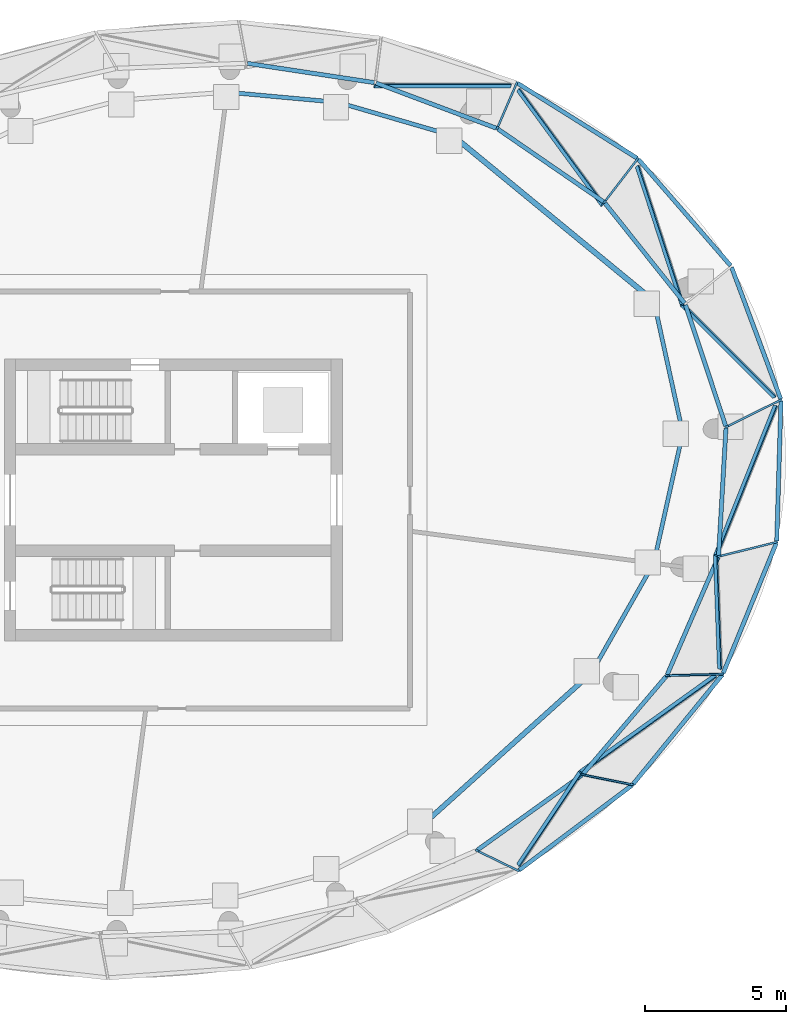
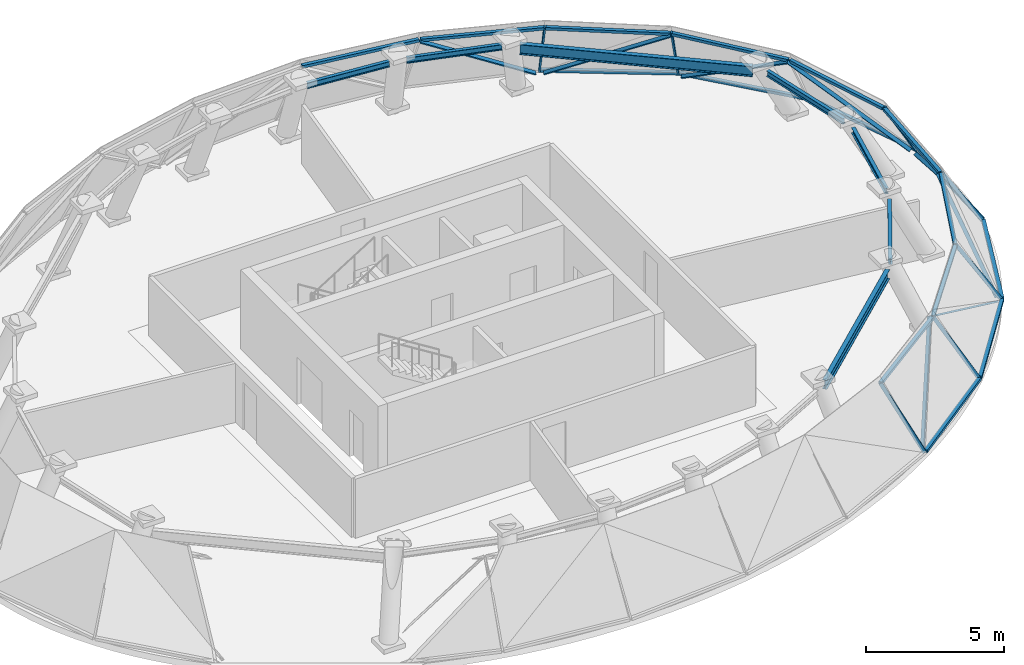
# One storey, part 3 of 9: 31 members, 7 beams, 17 elements without a shape of their own.
"""IFC4 building model written with IfcOpenShell, lengths in metres."""

from ifc_helpers import new_model, si_unit, direction, frame, origin, origin_2d, place, context, subcontext, project, spatial, rectangle, i_section, extrude, source, transform, mapped, material, layer, layer_set, material_profile, profile_set, type_object, element, aggregate, save


model = new_model("IFC4")

# Units and contexts
model_context = context("Model", 3, precision=1e-05, world=origin(), true_north=direction((0.0, 1.0)))
body_context = subcontext(model_context, "Body", "Model", "MODEL_VIEW")
ifc_project = project(units=[si_unit("LENGTHUNIT", "METRE"), si_unit("AREAUNIT", "SQUARE_METRE"), si_unit("VOLUMEUNIT", "CUBIC_METRE"), si_unit("PLANEANGLEUNIT", "RADIAN"), si_unit("MASSUNIT", "GRAM", prefix="KILO")], contexts=[model_context])

# Site, building, storey
site_placement = place(None, origin())
site = spatial("IfcSite", under=ifc_project, at=site_placement, CompositionType="ELEMENT")
building_placement = place(site_placement, origin())
building = spatial("IfcBuilding", under=site, at=building_placement, Name="Spindrift Exchange Tower", CompositionType="ELEMENT")
storey_placement = place(building_placement, frame((0.0, 0.0, 269.60009765625)))
storey = spatial("IfcBuildingStorey", under=building, at=storey_placement, Name="L66", CompositionType="ELEMENT", Elevation=269.60009765625)

# Beams
ifc_material_1 = material(Name="Steel Grade 300", Category="steel")
ifc_material_profile_1 = material_profile(ifc_material_1, i_section(OverallWidth=0.14599609375, OverallDepth=0.251953125, WebThickness=0.006103515625, FlangeThickness=0.008544921875, FilletRadius=0.011962890625, at=origin_2d()), Name="250UB31.4")
ifc_profile_set_1 = profile_set([ifc_material_profile_1], Name="Steel Grade 300")
beam_type_1 = type_object("IfcBeamType", Name="Edge Beam 250UB31.4 Steel Grade 300", PredefinedType="SPANDREL", material=ifc_profile_set_1)
shared_shape_1 = source(origin(), body_context, "Body", "SweptSolid", [
    extrude(i_section(OverallWidth=0.14599609375, OverallDepth=0.251953125, WebThickness=0.006103515625, FlangeThickness=0.008544921875, FilletRadius=0.011962890625, at=origin_2d()), origin(), (0.0, 0.0, 1.0), 4.134765625),
])
beam_1_placement = place(storey_placement, frame((70.010498046875, 50.702880859375, 3.093994140625), z_axis=(-0.214159978233, 0.976798599366, 0.0), x_axis=(-0.976798599366, -0.214159978233, 0.0)))
element("IfcBeam", 1, at=beam_1_placement, inside=storey, type_object=beam_type_1, Name="L66 edge beam E01", PredefinedType="SPANDREL", context=body_context, shape_type="MappedRepresentation", body=[
    mapped(shared_shape_1, transform((0.0, 0.0, 0.0), scale=1.0)),
])
ifc_material_profile_2 = material_profile(ifc_material_1, i_section(OverallWidth=0.18994140625, OverallDepth=0.45703125, WebThickness=0.009033203125, FlangeThickness=0.014404296875, FilletRadius=0.013916015625, at=origin_2d()), Name="460UB74.6")
ifc_profile_set_2 = profile_set([ifc_material_profile_2], Name="Steel Grade 300")
beam_type_2 = type_object("IfcBeamType", Name="Edge Beam 460UB74.6 Steel Grade 300", PredefinedType="SPANDREL", material=ifc_profile_set_2)
shared_shape_2 = source(origin(), body_context, "Body", "SweptSolid", [
    extrude(i_section(OverallWidth=0.18994140625, OverallDepth=0.45703125, WebThickness=0.009033203125, FlangeThickness=0.014404296875, FilletRadius=0.013916015625, at=origin_2d()), origin(), (0.0, 0.0, 1.0), 8.5751953125),
])
beam_2_placement = place(storey_placement, frame((68.799560546875, 55.273681640625, 2.991455078125), z_axis=(-0.772409966966, 0.635124273612, 0.0), x_axis=(-0.635124273612, -0.772409966966, 0.0)))
element("IfcBeam", 2, at=beam_2_placement, inside=storey, type_object=beam_type_2, Name="L66 edge beam E02", PredefinedType="SPANDREL", context=body_context, shape_type="MappedRepresentation", body=[
    mapped(shared_shape_2, transform((0.0, 0.0, 0.0), scale=1.0)),
])
shared_shape_3 = source(origin(), body_context, "Body", "SweptSolid", [
    extrude(i_section(OverallWidth=0.14599609375, OverallDepth=0.251953125, WebThickness=0.006103515625, FlangeThickness=0.008544921875, FilletRadius=0.011962890625, at=origin_2d()), origin(), (0.0, 0.0, 1.0), 3.583740234375),
])
beam_3_placement = place(storey_placement, frame((61.604248046875, 61.021484375, 3.093994140625), z_axis=(-0.960298550949, 0.278974359119, 0.0), x_axis=(-0.278974359119, -0.960298550949, 0.0)))
element("IfcBeam", 3, at=beam_3_placement, inside=storey, type_object=beam_type_1, Name="L66 edge beam E04", PredefinedType="SPANDREL", context=body_context, shape_type="MappedRepresentation", body=[
    mapped(shared_shape_3, transform((0.0, 0.0, 0.0), scale=1.0)),
])
shared_shape_4 = source(origin(), body_context, "Body", "SweptSolid", [
    extrude(i_section(OverallWidth=0.14599609375, OverallDepth=0.251953125, WebThickness=0.006103515625, FlangeThickness=0.008544921875, FilletRadius=0.011962890625, at=origin_2d()), origin(), (0.0, 0.0, 1.0), 3.296875),
])
beam_4_placement = place(storey_placement, frame((57.517333984375, 62.143310546875, 3.093994140625), z_axis=(-0.995836564252, 0.091156663489, 0.0), x_axis=(-0.091156663489, -0.995836564252, 0.0)))
element("IfcBeam", 4, at=beam_4_placement, inside=storey, type_object=beam_type_1, Name="L66 edge beam E05", PredefinedType="SPANDREL", context=body_context, shape_type="MappedRepresentation", body=[
    mapped(shared_shape_4, transform((0.0, 0.0, 0.0), scale=1.0)),
])
ifc_material_profile_3 = material_profile(ifc_material_1, i_section(OverallWidth=0.177978515625, OverallDepth=0.406005859375, WebThickness=0.0078125, FlangeThickness=0.0126953125, FilletRadius=0.013916015625, at=origin_2d()), Name="410UB59.7")
ifc_profile_set_3 = profile_set([ifc_material_profile_3], Name="Steel Grade 300")
beam_type_3 = type_object("IfcBeamType", Name="Edge Beam 410UB59.7 Steel Grade 300", PredefinedType="SPANDREL", material=ifc_profile_set_3)
shared_shape_5 = source(origin(), body_context, "Body", "SweptSolid", [
    extrude(i_section(OverallWidth=0.177978515625, OverallDepth=0.406005859375, WebThickness=0.0078125, FlangeThickness=0.0126953125, FilletRadius=0.013916015625, at=origin_2d()), origin(), (0.0, 0.0, 1.0), 7.392578125),
])
beam_5_placement = place(storey_placement, frame((61.09375, 36.689208984375, 3.016845703125), z_axis=(0.743236668357, 0.669028590428, 0.0), x_axis=(-0.669028590428, 0.743236668357, 0.0)))
element("IfcBeam", 5, at=beam_5_placement, inside=storey, type_object=beam_type_3, Name="L66 edge beam E21", PredefinedType="SPANDREL", context=body_context, shape_type="MappedRepresentation", body=[
    mapped(shared_shape_5, transform((0.0, 0.0, 0.0), scale=1.0)),
])
shared_shape_6 = source(origin(), body_context, "Body", "SweptSolid", [
    extrude(i_section(OverallWidth=0.14599609375, OverallDepth=0.251953125, WebThickness=0.006103515625, FlangeThickness=0.008544921875, FilletRadius=0.011962890625, at=origin_2d()), origin(), (0.0, 0.0, 1.0), 3.825927734375),
])
beam_6_placement = place(storey_placement, frame((66.99658203125, 42.142578125, 3.093994140625), z_axis=(0.49428236907, 0.869301408964, 0.0), x_axis=(-0.869301408964, 0.49428236907, 0.0)))
element("IfcBeam", 6, at=beam_6_placement, inside=storey, type_object=beam_type_1, Name="L66 edge beam E23", PredefinedType="SPANDREL", context=body_context, shape_type="MappedRepresentation", body=[
    mapped(shared_shape_6, transform((0.0, 0.0, 0.0), scale=1.0)),
])
shared_shape_7 = source(origin(), body_context, "Body", "SweptSolid", [
    extrude(i_section(OverallWidth=0.14599609375, OverallDepth=0.251953125, WebThickness=0.006103515625, FlangeThickness=0.008544921875, FilletRadius=0.011962890625, at=origin_2d()), origin(), (0.0, 0.0, 1.0), 4.07861328125),
])
beam_7_placement = place(storey_placement, frame((69.12255859375, 46.077392578125, 3.093994140625), z_axis=(0.217469159282, 0.976067192749, 0.0), x_axis=(-0.976067192749, 0.217469159282, 0.0)))
element("IfcBeam", 7, at=beam_7_placement, inside=storey, type_object=beam_type_1, Name="L66 edge beam E24", PredefinedType="SPANDREL", context=body_context, shape_type="MappedRepresentation", body=[
    mapped(shared_shape_7, transform((0.0, 0.0, 0.0), scale=1.0)),
])

# Curtain wall, member
ifc_material_2 = material(Name="Fritted laminated glass with bronze frame", Category="glass")
ifc_layer = layer(ifc_material_2, 0.14990234375)
ifc_layer_set = layer_set([ifc_layer], Name="CROWN BRONZE RAKED GLAZED WALL")
curtain_wall_type = type_object("IfcCurtainWallType", Name="CROWN BRONZE RAKED GLAZED WALL", PredefinedType="NOTDEFINED", material=ifc_layer_set)
curtain_wall_1_placement = place(storey_placement, origin())
curtain_wall_1 = element("IfcCurtainWall", 8, at=curtain_wall_1_placement, inside=storey, type_object=curtain_wall_type, Name="L66 Crown Bronze Raked Glazed Wall facet 1", PredefinedType="NOTDEFINED")
ifc_material_3 = material(Name="Bronze anodised aluminium", Category="aluminium")
ifc_material_profile_4 = material_profile(ifc_material_3, rectangle(XDim=0.14990234375, YDim=0.1201171875, at=origin_2d()), Name="CROWN BRONZE RAKED GLAZED WALL TRANSOM 150X120")
ifc_profile_set_4 = profile_set([ifc_material_profile_4], Name="Bronze anodised aluminium")
member_type_1 = type_object("IfcMemberType", Name="CROWN BRONZE RAKED GLAZED WALL TRANSOM 150X120", PredefinedType="USERDEFINED", material=ifc_profile_set_4)
shared_shape_8 = source(origin(), body_context, "Body", "SweptSolid", [
    extrude(rectangle(XDim=0.14990234375, YDim=0.1201171875, at=origin_2d()), origin(), (0.0, 0.0, 1.0), 4.983154296875),
])
member_1_placement = place(storey_placement, frame((73.555908203125, 51.58935546875, 0.059814453125), z_axis=(-0.349469202336, 0.936947851601, 0.0), x_axis=(-0.936947851601, -0.349469202336, 0.0)))
member_1 = element("IfcMember", 9, at=member_1_placement, type_object=member_type_1, Name="L66 transom CW-R.1a", ObjectType="TRANSOM", PredefinedType="USERDEFINED", context=body_context, shape_type="MappedRepresentation", body=[
    mapped(shared_shape_8, transform((0.0, 0.0, 0.0), scale=1.0)),
])

# Curtain wall, members
curtain_wall_2_placement = place(storey_placement, origin())
curtain_wall_2 = element("IfcCurtainWall", 10, at=curtain_wall_2_placement, inside=storey, type_object=curtain_wall_type, Name="L66 Crown Bronze Raked Glazed Wall facet 2", PredefinedType="NOTDEFINED")
shared_shape_9 = source(origin(), body_context, "Body", "SweptSolid", [
    extrude(rectangle(XDim=0.14990234375, YDim=0.1201171875, at=origin_2d()), origin(), (0.0, 0.0, 1.0), 4.533203125),
])
member_2_placement = place(storey_placement, frame((71.606201171875, 50.624267578125, 3.159912109375), z_axis=(-0.315112723988, 0.949054250916, 0.0), x_axis=(-0.949054250916, -0.315112723988, 0.0)))
member_2 = element("IfcMember", 11, at=member_2_placement, type_object=member_type_1, Name="L66 transom CW-R.1b", ObjectType="TRANSOM", PredefinedType="USERDEFINED", context=body_context, shape_type="MappedRepresentation", body=[
    mapped(shared_shape_9, transform((0.0, 0.0, 0.0), scale=1.0)),
])
ifc_material_profile_5 = material_profile(ifc_material_3, rectangle(XDim=0.070068359375, YDim=0.14990234375, at=origin_2d()), Name="CROWN BRONZE RAKED GLAZED WALL MULLION 70X150")
ifc_profile_set_5 = profile_set([ifc_material_profile_5], Name="Bronze anodised aluminium")
member_type_2 = type_object("IfcMemberType", Name="CROWN BRONZE RAKED GLAZED WALL MULLION 70X150", PredefinedType="MULLION", material=ifc_profile_set_5)
shared_shape_10 = source(origin(), body_context, "Body", "SweptSolid", [
    extrude(rectangle(XDim=0.070068359375, YDim=0.14990234375, at=origin_2d()), origin(), (0.0, 0.0, 1.0), 3.785400390625),
])
member_3_placement = place(storey_placement, frame((73.542724609375, 51.5439453125, 0.0419921875), z_axis=(-0.5019650267, -0.248434958608, 0.828439003978), x_axis=(0.443571045789, -0.896239213234, 0.0)))
member_3 = element("IfcMember", 12, at=member_3_placement, type_object=member_type_2, Name="L66 mullion CW-R.1", PredefinedType="MULLION", context=body_context, shape_type="MappedRepresentation", body=[
    mapped(shared_shape_10, transform((0.0, 0.0, 0.0), scale=1.0)),
])
aggregate(curtain_wall_2, [member_2, member_3])

# Member
shared_shape_11 = source(origin(), body_context, "Body", "SweptSolid", [
    extrude(rectangle(XDim=0.070068359375, YDim=0.14990234375, at=origin_2d()), origin(), (0.0, 0.0, 1.0), 5.565673828125),
])
member_4_placement = place(storey_placement, frame((73.330810546875, 51.654541015625, 0.062255859375), z_axis=(-0.58749733632, 0.587804398319, 0.55617701241), x_axis=(-0.140893518342, -0.751097678345, 0.644981623051)))
member_4 = element("IfcMember", 13, at=member_4_placement, type_object=member_type_2, Name="L66 glazing bar CW-R.1", PredefinedType="MULLION", context=body_context, shape_type="MappedRepresentation", body=[
    mapped(shared_shape_11, transform((0.0, 0.0, 0.0), scale=1.0)),
])

aggregate(curtain_wall_1, [member_1, member_4])

# Curtain wall, member
curtain_wall_3_placement = place(storey_placement, origin())
curtain_wall_3 = element("IfcCurtainWall", 14, at=curtain_wall_3_placement, inside=storey, type_object=curtain_wall_type, Name="L66 Crown Bronze Raked Glazed Wall facet 3", PredefinedType="NOTDEFINED")
shared_shape_12 = source(origin(), body_context, "Body", "SweptSolid", [
    extrude(rectangle(XDim=0.14990234375, YDim=0.1201171875, at=origin_2d()), origin(), (0.0, 0.0, 1.0), 4.9912109375),
])
member_5_placement = place(storey_placement, frame((68.5087890625, 60.087646484375, 0.059814453125), z_axis=(0.655267540961, -0.755396882283, 0.0), x_axis=(0.755396882283, 0.655267540961, 0.0)))
member_5 = element("IfcMember", 15, at=member_5_placement, type_object=member_type_1, Name="L66 transom CW-R.2a", ObjectType="TRANSOM", PredefinedType="USERDEFINED", context=body_context, shape_type="MappedRepresentation", body=[
    mapped(shared_shape_12, transform((0.0, 0.0, 0.0), scale=1.0)),
])
aggregate(curtain_wall_3, [member_5])

curtain_wall_4_placement = place(storey_placement, origin())
curtain_wall_4 = element("IfcCurtainWall", 16, at=curtain_wall_4_placement, inside=storey, type_object=curtain_wall_type, Name="L66 Crown Bronze Raked Glazed Wall facet 45", PredefinedType="NOTDEFINED")
member_6_placement = place(storey_placement, frame((71.515625, 41.8525390625, 0.059814453125), z_axis=(0.378051870103, 0.925784415246, 0.0), x_axis=(-0.925784415246, 0.378051870103, 0.0)))
member_6 = element("IfcMember", 17, at=member_6_placement, type_object=member_type_1, Name="L66 transom CW-R.23a", ObjectType="TRANSOM", PredefinedType="USERDEFINED", context=body_context, shape_type="MappedRepresentation", body=[
    mapped(shared_shape_12, transform((0.0, 0.0, 0.0), scale=1.0)),
])

# Curtain wall, members
curtain_wall_5_placement = place(storey_placement, origin())
curtain_wall_5 = element("IfcCurtainWall", 18, at=curtain_wall_5_placement, inside=storey, type_object=curtain_wall_type, Name="L66 Crown Bronze Raked Glazed Wall facet 4", PredefinedType="NOTDEFINED")
shared_shape_13 = source(origin(), body_context, "Body", "SweptSolid", [
    extrude(rectangle(XDim=0.14990234375, YDim=0.1201171875, at=origin_2d()), origin(), (0.0, 0.0, 1.0), 4.5400390625),
])
member_7_placement = place(storey_placement, frame((67.3173828125, 58.539306640625, 3.159912109375), z_axis=(0.62281769166, -0.78236700017, 0.0), x_axis=(0.78236700017, 0.62281769166, 0.0)))
member_7 = element("IfcMember", 19, at=member_7_placement, type_object=member_type_1, Name="L66 transom CW-R.2b", ObjectType="TRANSOM", PredefinedType="USERDEFINED", context=body_context, shape_type="MappedRepresentation", body=[
    mapped(shared_shape_13, transform((0.0, 0.0, 0.0), scale=1.0)),
])
shared_shape_14 = source(origin(), body_context, "Body", "SweptSolid", [
    extrude(rectangle(XDim=0.070068359375, YDim=0.14990234375, at=origin_2d()), origin(), (0.0, 0.0, 1.0), 6.052978515625),
])
member_8_placement = place(storey_placement, frame((68.4677734375, 59.839599609375, 0.064453125), z_axis=(0.266530204402, -0.817418450727, 0.510674775716), x_axis=(0.689072709061, -0.208854092306, -0.693944356382)))
member_8 = element("IfcMember", 20, at=member_8_placement, type_object=member_type_2, Name="L66 glazing bar CW-R.2", PredefinedType="MULLION", context=body_context, shape_type="MappedRepresentation", body=[
    mapped(shared_shape_14, transform((0.0, 0.0, 0.0), scale=1.0)),
])
aggregate(curtain_wall_5, [member_7, member_8])

# Curtain wall, member
curtain_wall_6_placement = place(storey_placement, origin())
curtain_wall_6 = element("IfcCurtainWall", 21, at=curtain_wall_6_placement, inside=storey, type_object=curtain_wall_type, Name="L66 Crown Bronze Raked Glazed Wall facet 5", PredefinedType="NOTDEFINED")
shared_shape_15 = source(origin(), body_context, "Body", "SweptSolid", [
    extrude(rectangle(XDim=0.14990234375, YDim=0.1201171875, at=origin_2d()), origin(), (0.0, 0.0, 1.0), 4.999267578125),
])
member_9_placement = place(storey_placement, frame((64.220458984375, 62.787841796875, 0.059814453125), z_axis=(0.847311689252, -0.531095943551, 0.0), x_axis=(0.531095943551, 0.847311689252, 0.0)))
member_9 = element("IfcMember", 22, at=member_9_placement, type_object=member_type_1, Name="L66 transom CW-R.3a", ObjectType="TRANSOM", PredefinedType="USERDEFINED", context=body_context, shape_type="MappedRepresentation", body=[
    mapped(shared_shape_15, transform((0.0, 0.0, 0.0), scale=1.0)),
])

curtain_wall_7_placement = place(storey_placement, origin())
curtain_wall_7 = element("IfcCurtainWall", 23, at=curtain_wall_7_placement, inside=storey, type_object=curtain_wall_type, Name="L66 Crown Bronze Raked Glazed Wall facet 6", PredefinedType="NOTDEFINED")
shared_shape_16 = source(origin(), body_context, "Body", "SweptSolid", [
    extrude(rectangle(XDim=0.14990234375, YDim=0.1201171875, at=origin_2d()), origin(), (0.0, 0.0, 1.0), 4.546630859375),
])
member_10_placement = place(storey_placement, frame((63.522216796875, 61.1650390625, 3.159912109375), z_axis=(0.82361239241, -0.567153089623, 0.0), x_axis=(0.567153089623, 0.82361239241, 0.0)))
member_10 = element("IfcMember", 24, at=member_10_placement, type_object=member_type_1, Name="L66 transom CW-R.3b", ObjectType="TRANSOM", PredefinedType="USERDEFINED", context=body_context, shape_type="MappedRepresentation", body=[
    mapped(shared_shape_16, transform((0.0, 0.0, 0.0), scale=1.0)),
])

curtain_wall_8_placement = place(storey_placement, origin())
curtain_wall_8 = element("IfcCurtainWall", 25, at=curtain_wall_8_placement, inside=storey, type_object=curtain_wall_type, Name="L66 Crown Bronze Raked Glazed Wall facet 44", PredefinedType="NOTDEFINED")
member_11_placement = place(storey_placement, frame((69.491943359375, 41.740234375, 3.159912109375), z_axis=(-0.648125255307, -0.761533750685, 0.0), x_axis=(0.761533750685, -0.648125255307, 0.0)))
member_11 = element("IfcMember", 26, at=member_11_placement, type_object=member_type_1, Name="L66 transom CW-R.22b", ObjectType="TRANSOM", PredefinedType="USERDEFINED", context=body_context, shape_type="MappedRepresentation", body=[
    mapped(shared_shape_16, transform((0.0, 0.0, 0.0), scale=1.0)),
])

# Member
shared_shape_17 = source(origin(), body_context, "Body", "SweptSolid", [
    extrude(rectangle(XDim=0.070068359375, YDim=0.14990234375, at=origin_2d()), origin(), (0.0, 0.0, 1.0), 3.674560546875),
])
member_12_placement = place(storey_placement, frame((68.471435546875, 60.095458984375, 0.038818359375), z_axis=(-0.316058772705, -0.411002641991, 0.855092790563), x_axis=(0.792714492796, -0.609593087978, 0.0)))
member_12 = element("IfcMember", 27, at=member_12_placement, type_object=member_type_2, Name="L66 mullion CW-R.3", PredefinedType="MULLION", context=body_context, shape_type="MappedRepresentation", body=[
    mapped(shared_shape_17, transform((0.0, 0.0, 0.0), scale=1.0)),
])

aggregate(curtain_wall_6, [member_9, member_12])

shared_shape_18 = source(origin(), body_context, "Body", "SweptSolid", [
    extrude(rectangle(XDim=0.070068359375, YDim=0.14990234375, at=origin_2d()), origin(), (0.0, 0.0, 1.0), 5.918212890625),
])
member_13_placement = place(storey_placement, frame((64.24755859375, 62.550537109375, 0.063720703125), z_axis=(0.503764568735, -0.687911721932, 0.522492796233), x_axis=(0.706329531677, -0.020190940785, -0.707595165749)))
member_13 = element("IfcMember", 28, at=member_13_placement, type_object=member_type_2, Name="L66 glazing bar CW-R.3", PredefinedType="MULLION", context=body_context, shape_type="MappedRepresentation", body=[
    mapped(shared_shape_18, transform((0.0, 0.0, 0.0), scale=1.0)),
])

aggregate(curtain_wall_7, [member_10, member_13])

# Curtain wall, member
curtain_wall_9_placement = place(storey_placement, origin())
curtain_wall_9 = element("IfcCurtainWall", 29, at=curtain_wall_9_placement, inside=storey, type_object=curtain_wall_type, Name="L66 Crown Bronze Raked Glazed Wall facet 8", PredefinedType="NOTDEFINED")
shared_shape_19 = source(origin(), body_context, "Body", "SweptSolid", [
    extrude(rectangle(XDim=0.14990234375, YDim=0.1201171875, at=origin_2d()), origin(), (0.0, 0.0, 1.0), 4.55078125),
])
member_14_placement = place(storey_placement, frame((63.460693359375, 61.197265625, 3.159912109375), z_axis=(-0.93618358211, 0.351511451575, 0.0), x_axis=(-0.351511451575, -0.93618358211, 0.0)))
member_14 = element("IfcMember", 30, at=member_14_placement, type_object=member_type_1, Name="L66 transom CW-R.4b", ObjectType="TRANSOM", PredefinedType="USERDEFINED", context=body_context, shape_type="MappedRepresentation", body=[
    mapped(shared_shape_19, transform((0.0, 0.0, 0.0), scale=1.0)),
])

curtain_wall_10_placement = place(storey_placement, origin())
curtain_wall_10 = element("IfcCurtainWall", 31, at=curtain_wall_10_placement, inside=storey, type_object=curtain_wall_type, Name="L66 Crown Bronze Raked Glazed Wall facet 42", PredefinedType="NOTDEFINED")
member_15_placement = place(storey_placement, frame((62.795166015625, 35.579833984375, 3.159912109375), z_axis=(0.812822631171, 0.582511261914, 0.0), x_axis=(-0.582511261914, 0.812822631171, 0.0)))
member_15 = element("IfcMember", 32, at=member_15_placement, type_object=member_type_1, Name="L66 transom CW-R.21b", ObjectType="TRANSOM", PredefinedType="USERDEFINED", context=body_context, shape_type="MappedRepresentation", body=[
    mapped(shared_shape_19, transform((0.0, 0.0, 0.0), scale=1.0)),
])

# Member
shared_shape_20 = source(origin(), body_context, "Body", "SweptSolid", [
    extrude(rectangle(XDim=0.070068359375, YDim=0.14990234375, at=origin_2d()), origin(), (0.0, 0.0, 1.0), 3.58984375),
])
member_16_placement = place(storey_placement, frame((64.18310546875, 62.7880859375, 0.035888671875), z_axis=(-0.189950714935, -0.441518095724, 0.876915330602), x_axis=(0.918595228851, -0.395199703355, 0.0)))
member_16 = element("IfcMember", 33, at=member_16_placement, type_object=member_type_2, Name="L66 mullion CW-R.4", PredefinedType="MULLION", context=body_context, shape_type="MappedRepresentation", body=[
    mapped(shared_shape_20, transform((0.0, 0.0, 0.0), scale=1.0)),
])

aggregate(curtain_wall_9, [member_14, member_16])

# Curtain wall, member
curtain_wall_11_placement = place(storey_placement, origin())
curtain_wall_11 = element("IfcCurtainWall", 34, at=curtain_wall_11_placement, inside=storey, type_object=curtain_wall_type, Name="L66 Crown Bronze Raked Glazed Wall facet 7", PredefinedType="NOTDEFINED")
shared_shape_21 = source(origin(), body_context, "Body", "SweptSolid", [
    extrude(rectangle(XDim=0.070068359375, YDim=0.14990234375, at=origin_2d()), origin(), (0.0, 0.0, 1.0), 5.732666015625),
])
member_17_placement = place(storey_placement, frame((63.96923828125, 62.698486328125, 0.06298828125), z_axis=(-0.841875077524, 0.000468465492, 0.539672247187), x_axis=(0.459573699909, -0.523603844855, 0.717377883688)))
member_17 = element("IfcMember", 35, at=member_17_placement, type_object=member_type_2, Name="L66 glazing bar CW-R.4", PredefinedType="MULLION", context=body_context, shape_type="MappedRepresentation", body=[
    mapped(shared_shape_21, transform((0.0, 0.0, 0.0), scale=1.0)),
])
aggregate(curtain_wall_11, [member_17])

curtain_wall_12_placement = place(storey_placement, origin())
curtain_wall_12 = element("IfcCurtainWall", 36, at=curtain_wall_12_placement, inside=storey, type_object=curtain_wall_type, Name="L66 Crown Bronze Raked Glazed Wall facet 10", PredefinedType="NOTDEFINED")
shared_shape_22 = source(origin(), body_context, "Body", "SweptSolid", [
    extrude(rectangle(XDim=0.14990234375, YDim=0.1201171875, at=origin_2d()), origin(), (0.0, 0.0, 1.0), 4.552734375),
])
member_18_placement = place(storey_placement, frame((59.133056640625, 62.814453125, 3.159912109375), z_axis=(-0.988728497465, 0.149719598922, 0.0), x_axis=(-0.149719598922, -0.988728497465, 0.0)))
member_18 = element("IfcMember", 37, at=member_18_placement, type_object=member_type_1, Name="L66 transom CW-R.5b", ObjectType="TRANSOM", PredefinedType="USERDEFINED", context=body_context, shape_type="MappedRepresentation", body=[
    mapped(shared_shape_22, transform((0.0, 0.0, 0.0), scale=1.0)),
])
aggregate(curtain_wall_12, [member_18])

curtain_wall_13_placement = place(storey_placement, origin())
curtain_wall_13 = element("IfcCurtainWall", 38, at=curtain_wall_13_placement, inside=storey, type_object=curtain_wall_type, Name="L66 Crown Bronze Raked Glazed Wall facet 41", PredefinedType="NOTDEFINED")
shared_shape_23 = source(origin(), body_context, "Body", "SweptSolid", [
    extrude(rectangle(XDim=0.14990234375, YDim=0.1201171875, at=origin_2d()), origin(), (0.0, 0.0, 1.0), 5.00390625),
])
member_19_placement = place(storey_placement, frame((64.272705078125, 34.862060546875, 0.059814453125), z_axis=(0.799097440762, 0.601201530411, 0.0), x_axis=(-0.601201530411, 0.799097440762, 0.0)))
member_19 = element("IfcMember", 39, at=member_19_placement, type_object=member_type_1, Name="L66 transom CW-R.21a", ObjectType="TRANSOM", PredefinedType="USERDEFINED", context=body_context, shape_type="MappedRepresentation", body=[
    mapped(shared_shape_23, transform((0.0, 0.0, 0.0), scale=1.0)),
])

# Member
shared_shape_24 = source(origin(), body_context, "Body", "SweptSolid", [
    extrude(rectangle(XDim=0.070068359375, YDim=0.14990234375, at=origin_2d()), origin(), (0.0, 0.0, 1.0), 3.53857421875),
])
member_20_placement = place(storey_placement, frame((64.22900390625, 34.8486328125, 0.033935546875), z_axis=(-0.408849398219, 0.198767316279, 0.890692833448), x_axis=(-0.437230215175, -0.899349619969, 0.0)))
member_20 = element("IfcMember", 40, at=member_20_placement, type_object=member_type_2, Name="L66 mullion CW-R.21", PredefinedType="MULLION", context=body_context, shape_type="MappedRepresentation", body=[
    mapped(shared_shape_24, transform((0.0, 0.0, 0.0), scale=1.0)),
])

aggregate(curtain_wall_10, [member_15, member_20])

shared_shape_25 = source(origin(), body_context, "Body", "SweptSolid", [
    extrude(rectangle(XDim=0.070068359375, YDim=0.14990234375, at=origin_2d()), origin(), (0.0, 0.0, 1.0), 5.02294921875),
])
member_21_placement = place(storey_placement, frame((64.25, 35.048583984375, 0.058837890625), z_axis=(0.436861522237, 0.654028553985, 0.617574822156), x_axis=(-0.705211590419, -0.177186456246, 0.686499506527)))
member_21 = element("IfcMember", 41, at=member_21_placement, type_object=member_type_2, Name="L66 glazing bar CW-R.21", PredefinedType="MULLION", context=body_context, shape_type="MappedRepresentation", body=[
    mapped(shared_shape_25, transform((0.0, 0.0, 0.0), scale=1.0)),
])

aggregate(curtain_wall_13, [member_19, member_21])

# Curtain wall, members
curtain_wall_14_placement = place(storey_placement, origin())
curtain_wall_14 = element("IfcCurtainWall", 42, at=curtain_wall_14_placement, inside=storey, type_object=curtain_wall_type, Name="L66 Crown Bronze Raked Glazed Wall facet 43", PredefinedType="NOTDEFINED")
shared_shape_26 = source(origin(), body_context, "Body", "SweptSolid", [
    extrude(rectangle(XDim=0.14990234375, YDim=0.1201171875, at=origin_2d()), origin(), (0.0, 0.0, 1.0), 4.9990234375),
])
member_22_placement = place(storey_placement, frame((71.480224609375, 41.79296875, 0.059814453125), z_axis=(-0.631904466853, -0.775046285567, 0.0), x_axis=(0.775046285567, -0.631904466853, 0.0)))
member_22 = element("IfcMember", 43, at=member_22_placement, type_object=member_type_1, Name="L66 transom CW-R.22a", ObjectType="TRANSOM", PredefinedType="USERDEFINED", context=body_context, shape_type="MappedRepresentation", body=[
    mapped(shared_shape_26, transform((0.0, 0.0, 0.0), scale=1.0)),
])
shared_shape_27 = source(origin(), body_context, "Body", "SweptSolid", [
    extrude(rectangle(XDim=0.070068359375, YDim=0.14990234375, at=origin_2d()), origin(), (0.0, 0.0, 1.0), 3.61083984375),
])
member_23_placement = place(storey_placement, frame((68.27880859375, 37.8955078125, 0.03662109375), z_axis=(-0.480801831277, 0.097363892144, 0.871406834692), x_axis=(-0.198474573643, -0.980106036925, 0.0)))
member_23 = element("IfcMember", 44, at=member_23_placement, type_object=member_type_2, Name="L66 mullion CW-R.22", PredefinedType="MULLION", context=body_context, shape_type="MappedRepresentation", body=[
    mapped(shared_shape_27, transform((0.0, 0.0, 0.0), scale=1.0)),
])
aggregate(curtain_wall_14, [member_22, member_23])

# Member
shared_shape_28 = source(origin(), body_context, "Body", "SweptSolid", [
    extrude(rectangle(XDim=0.070068359375, YDim=0.14990234375, at=origin_2d()), origin(), (0.0, 0.0, 1.0), 6.635986328125),
])
member_24_placement = place(storey_placement, frame((71.231201171875, 41.76416015625, 0.06640625), z_axis=(-0.719485502107, -0.515663162075, 0.465222651572), x_axis=(-0.064679660841, -0.617197549844, -0.784145219931)))
member_24 = element("IfcMember", 45, at=member_24_placement, type_object=member_type_2, Name="L66 glazing bar CW-R.22", PredefinedType="MULLION", context=body_context, shape_type="MappedRepresentation", body=[
    mapped(shared_shape_28, transform((0.0, 0.0, 0.0), scale=1.0)),
])

aggregate(curtain_wall_8, [member_11, member_24])

# Curtain wall, members
curtain_wall_15_placement = place(storey_placement, origin())
curtain_wall_15 = element("IfcCurtainWall", 46, at=curtain_wall_15_placement, inside=storey, type_object=curtain_wall_type, Name="L66 Crown Bronze Raked Glazed Wall facet 46", PredefinedType="NOTDEFINED")
shared_shape_29 = source(origin(), body_context, "Body", "SweptSolid", [
    extrude(rectangle(XDim=0.14990234375, YDim=0.1201171875, at=origin_2d()), origin(), (0.0, 0.0, 1.0), 4.539794921875),
])
member_25_placement = place(storey_placement, frame((69.528564453125, 41.799072265625, 3.159912109375), z_axis=(0.39826985827, 0.917268292264, 0.0), x_axis=(-0.917268292264, 0.39826985827, 0.0)))
member_25 = element("IfcMember", 47, at=member_25_placement, type_object=member_type_1, Name="L66 transom CW-R.23b", ObjectType="TRANSOM", PredefinedType="USERDEFINED", context=body_context, shape_type="MappedRepresentation", body=[
    mapped(shared_shape_29, transform((0.0, 0.0, 0.0), scale=1.0)),
])
shared_shape_30 = source(origin(), body_context, "Body", "SweptSolid", [
    extrude(rectangle(XDim=0.070068359375, YDim=0.14990234375, at=origin_2d()), origin(), (0.0, 0.0, 1.0), 3.69189453125),
])
member_26_placement = place(storey_placement, frame((71.47802734375, 41.8193359375, 0.039306640625), z_axis=(-0.525266647015, -0.014019454761, 0.850822193188), x_axis=(0.026680665948, -0.999644007667, 0.0)))
member_26 = element("IfcMember", 48, at=member_26_placement, type_object=member_type_2, Name="L66 mullion CW-R.23", PredefinedType="MULLION", context=body_context, shape_type="MappedRepresentation", body=[
    mapped(shared_shape_30, transform((0.0, 0.0, 0.0), scale=1.0)),
])
aggregate(curtain_wall_15, [member_25, member_26])

# Member
shared_shape_31 = source(origin(), body_context, "Body", "SweptSolid", [
    extrude(rectangle(XDim=0.070068359375, YDim=0.14990234375, at=origin_2d()), origin(), (0.0, 0.0, 1.0), 5.080078125),
])
member_27_placement = place(storey_placement, frame((71.392333984375, 42.01513671875, 0.059326171875), z_axis=(-0.028738303233, 0.791552830341, 0.610424628195), x_axis=(-0.567521694448, -0.515627797888, 0.641908950223)))
member_27 = element("IfcMember", 49, at=member_27_placement, type_object=member_type_2, Name="L66 glazing bar CW-R.23", PredefinedType="MULLION", context=body_context, shape_type="MappedRepresentation", body=[
    mapped(shared_shape_31, transform((0.0, 0.0, 0.0), scale=1.0)),
])

aggregate(curtain_wall_4, [member_6, member_27])

# Curtain wall, member
curtain_wall_16_placement = place(storey_placement, origin())
curtain_wall_16 = element("IfcCurtainWall", 50, at=curtain_wall_16_placement, inside=storey, type_object=curtain_wall_type, Name="L66 Crown Bronze Raked Glazed Wall facet 47", PredefinedType="NOTDEFINED")
shared_shape_32 = source(origin(), body_context, "Body", "SweptSolid", [
    extrude(rectangle(XDim=0.14990234375, YDim=0.1201171875, at=origin_2d()), origin(), (0.0, 0.0, 1.0), 4.98291015625),
])
member_28_placement = place(storey_placement, frame((73.567138671875, 51.521484375, 0.059814453125), z_axis=(-0.030180843293, -0.999544454588, 0.0), x_axis=(0.999544454588, -0.030180843293, 0.0)))
member_28 = element("IfcMember", 51, at=member_28_placement, type_object=member_type_1, Name="L66 transom CW-R.24a", ObjectType="TRANSOM", PredefinedType="USERDEFINED", context=body_context, shape_type="MappedRepresentation", body=[
    mapped(shared_shape_32, transform((0.0, 0.0, 0.0), scale=1.0)),
])

curtain_wall_17_placement = place(storey_placement, origin())
curtain_wall_17 = element("IfcCurtainWall", 52, at=curtain_wall_17_placement, inside=storey, type_object=curtain_wall_type, Name="L66 Crown Bronze Raked Glazed Wall facet 48", PredefinedType="NOTDEFINED")
shared_shape_33 = source(origin(), body_context, "Body", "SweptSolid", [
    extrude(rectangle(XDim=0.14990234375, YDim=0.1201171875, at=origin_2d()), origin(), (0.0, 0.0, 1.0), 4.533447265625),
])
member_29_placement = place(storey_placement, frame((71.615234375, 50.55615234375, 3.159912109375), z_axis=(-0.057891740308, -0.998322866814, 0.0), x_axis=(0.998322866814, -0.057891740308, 0.0)))
member_29 = element("IfcMember", 53, at=member_29_placement, type_object=member_type_1, Name="L66 transom CW-R.24b", ObjectType="TRANSOM", PredefinedType="USERDEFINED", context=body_context, shape_type="MappedRepresentation", body=[
    mapped(shared_shape_33, transform((0.0, 0.0, 0.0), scale=1.0)),
])

# Member
shared_shape_34 = source(origin(), body_context, "Body", "SweptSolid", [
    extrude(rectangle(XDim=0.070068359375, YDim=0.14990234375, at=origin_2d()), origin(), (0.0, 0.0, 1.0), 3.76025390625),
])
member_30_placement = place(storey_placement, frame((73.389404296875, 46.4990234375, 0.041259765625), z_axis=(-0.535122537169, -0.132189940024, 0.834367838529), x_axis=(0.239818596574, -0.970817717565, 0.0)))
member_30 = element("IfcMember", 54, at=member_30_placement, type_object=member_type_2, Name="L66 mullion CW-R.24", PredefinedType="MULLION", context=body_context, shape_type="MappedRepresentation", body=[
    mapped(shared_shape_34, transform((0.0, 0.0, 0.0), scale=1.0)),
])

aggregate(curtain_wall_16, [member_28, member_30])

shared_shape_35 = source(origin(), body_context, "Body", "SweptSolid", [
    extrude(rectangle(XDim=0.070068359375, YDim=0.14990234375, at=origin_2d()), origin(), (0.0, 0.0, 1.0), 6.51904296875),
])
member_31_placement = place(storey_placement, frame((73.369384765625, 51.33984375, 0.06591796875), z_axis=(-0.326192900686, -0.818066328656, 0.473672538218), x_axis=(0.383072227207, -0.572486605494, -0.724923965167)))
member_31 = element("IfcMember", 55, at=member_31_placement, type_object=member_type_2, Name="L66 glazing bar CW-R.24", PredefinedType="MULLION", context=body_context, shape_type="MappedRepresentation", body=[
    mapped(shared_shape_35, transform((0.0, 0.0, 0.0), scale=1.0)),
])

aggregate(curtain_wall_17, [member_29, member_31])

save(model, "model.ifc")
